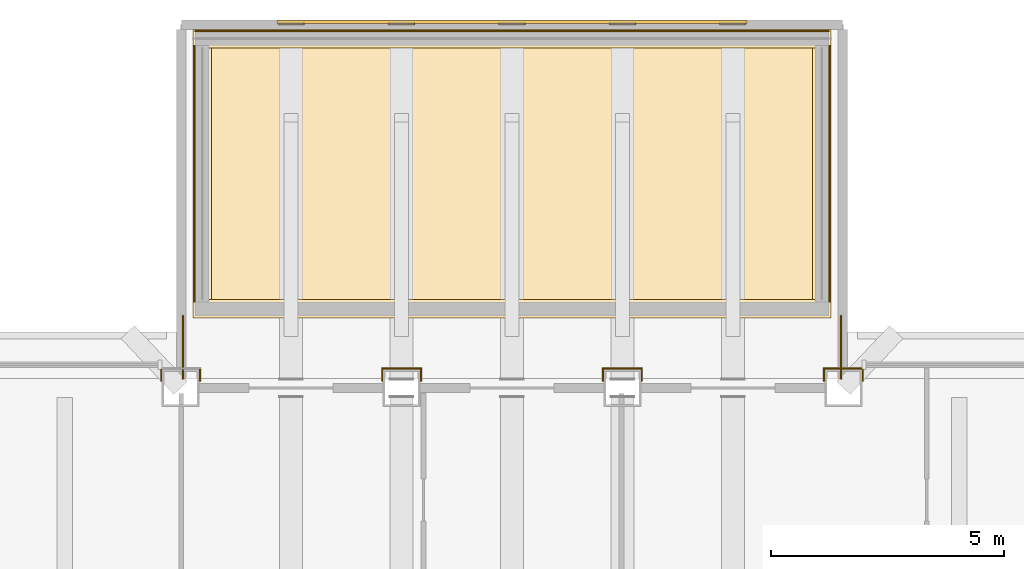
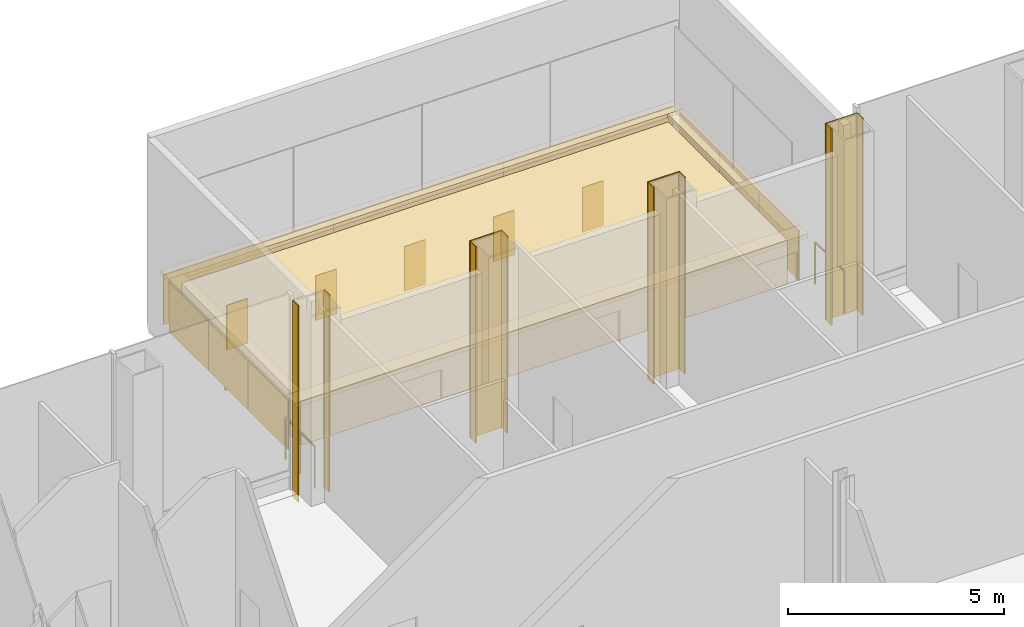
# One storey, part 20 of 22: 31 coverings, 2 railings.
"""IFC4 building model written with IfcOpenShell, lengths in metres."""

from ifc_helpers import new_model, si_unit, direction, frame, origin, origin_2d, place, context, subcontext, project, spatial, polyline, rectangle, circle, outline, extrude, material, layer, layer_set, type_object, element, save


model = new_model("IFC4")

# Units and contexts
model_context = context("Model", 3, precision=1e-05, world=origin(), true_north=direction((0.0, 1.0)))
body_context = subcontext(model_context, "Body", "Model", "MODEL_VIEW")
ifc_project = project(units=[si_unit("LENGTHUNIT", "METRE"), si_unit("AREAUNIT", "SQUARE_METRE"), si_unit("VOLUMEUNIT", "CUBIC_METRE"), si_unit("PLANEANGLEUNIT", "RADIAN"), si_unit("MASSUNIT", "GRAM", prefix="KILO")], contexts=[model_context])

# Site, building, storey
site_placement = place(None, origin())
site = spatial("IfcSite", under=ifc_project, at=site_placement, CompositionType="ELEMENT")
building_placement = place(site_placement, origin())
building = spatial("IfcBuilding", under=site, at=building_placement, Name="Cobrizo Arcos Hotel Tower", CompositionType="ELEMENT")
storey_placement = place(building_placement, frame((0.0, 0.0, 142.5)))
storey = spatial("IfcBuildingStorey", under=building, at=storey_placement, Name="L36", CompositionType="ELEMENT", Elevation=142.5)

# Coverings
ifc_material_1 = material(Name="Glass clear laminated low-e", Category="glass")
ifc_layer_1 = layer(ifc_material_1, 0.030029296875)
ifc_layer_set_1 = layer_set([ifc_layer_1], Name="PB-1 pool tub glass face 30")
covering_type_1 = type_object("IfcCoveringType", Name="PB-1 pool tub glass face 30", PredefinedType="CLADDING", material=ifc_layer_set_1)
for number, where, z_axis, x_axis, name in (
    (1, (-4.533203125, 29.264892578125, 0.0), (0.0, 0.0, 1.0), (1.0, 0.0, 0.0), "Pool tub glass face 1"),
    (2, (0.0, 29.264892578125, 0.0), (0.0, 0.0, 1.0), (1.0, 0.0, 0.0), "Pool tub glass face 2"),
    (3, (4.533203125, 29.264892578125, 0.0), (0.0, 0.0, 1.0), (1.0, 0.0, 0.0), "Pool tub glass face 3"),
):
    element("IfcCovering", number, at=place(storey_placement, frame(where, z_axis=z_axis, x_axis=x_axis)), inside=storey, type_object=covering_type_1, Name=name, PredefinedType="CLADDING", context=body_context, shape_type="SweptSolid", body=[
        extrude(rectangle(XDim=4.533203125, YDim=0.030029296875, at=origin_2d()), origin(), (0.0, 0.0, 1.0), 1.39990234375),
    ])
for number, where, z_axis, x_axis, name in (
    (4, (-6.81494140625, 24.3671875, 0.0), (0.0, 0.0, 1.0), (1.0, 0.0, 0.0), "Pool tub glass face 4"),
    (5, (-6.81494140625, 26.2001953125, 0.0), (0.0, 0.0, 1.0), (1.0, 0.0, 0.0), "Pool tub glass face 5"),
    (6, (-6.81494140625, 28.033447265625, 0.0), (0.0, 0.0, 1.0), (1.0, 0.0, 0.0), "Pool tub glass face 6"),
    (7, (6.81494140625, 24.3671875, 0.0), (0.0, 0.0, 1.0), (1.0, 0.0, 0.0), "Pool tub glass face 7"),
    (8, (6.81494140625, 26.2001953125, 0.0), (0.0, 0.0, 1.0), (1.0, 0.0, 0.0), "Pool tub glass face 8"),
    (9, (6.81494140625, 28.033447265625, 0.0), (0.0, 0.0, 1.0), (1.0, 0.0, 0.0), "Pool tub glass face 9"),
):
    element("IfcCovering", number, at=place(storey_placement, frame(where, z_axis=z_axis, x_axis=x_axis)), inside=storey, type_object=covering_type_1, Name=name, PredefinedType="CLADDING", context=body_context, shape_type="SweptSolid", body=[
        extrude(rectangle(XDim=0.030029296875, YDim=1.833251953125, at=origin_2d()), origin(), (0.0, 0.0, 1.0), 1.39990234375),
    ])
ifc_material_2 = material(Name="Pool water")
covering_type_2 = type_object("IfcCoveringType", Name="PB-2 pool water body", PredefinedType="USERDEFINED", material=ifc_material_2)
covering_1_placement = place(storey_placement, origin())
element("IfcCovering", 10, at=covering_1_placement, inside=storey, type_object=covering_type_2, Name="Pool water", ObjectType="WATER", PredefinedType="USERDEFINED", context=body_context, shape_type="SweptSolid", body=[
    extrude(outline(polyline([(-6.5, 23.450439453125), (6.5, 23.450439453125), (6.5, 28.949951171875), (-6.5, 28.949951171875), (-6.5, 23.450439453125)])), origin(), (0.0, 0.0, 1.0), 1.25),
])
ifc_material_3 = material(Name="Aluminium 6063-T6 anodised pale", Category="aluminium")
ifc_layer_2 = layer(ifc_material_3, 0.030029296875)
ifc_layer_set_2 = layer_set([ifc_layer_2], Name="PB-3 cantilever end plate 30")
covering_type_3 = type_object("IfcCoveringType", Name="PB-3 cantilever end plate 30", PredefinedType="CLADDING", material=ifc_layer_set_2)
for number, where, z_axis, x_axis, name in (
    (11, (-4.742919921875, 29.4150390625, -1.43017578125), (0.0, 0.0, 1.0), (1.0, 0.0, 0.0), "Cantilever beam end plate 1"),
    (12, (-2.371337890625, 29.4150390625, -1.43017578125), (0.0, 0.0, 1.0), (1.0, 0.0, 0.0), "Cantilever beam end plate 2"),
    (13, (0.0, 29.4150390625, -1.43017578125), (0.0, 0.0, 1.0), (1.0, 0.0, 0.0), "Cantilever beam end plate 3"),
    (14, (2.371337890625, 29.4150390625, -1.43017578125), (0.0, 0.0, 1.0), (1.0, 0.0, 0.0), "Cantilever beam end plate 4"),
    (15, (4.742919921875, 29.4150390625, -1.43017578125), (0.0, 0.0, 1.0), (1.0, 0.0, 0.0), "Cantilever beam end plate 5"),
):
    element("IfcCovering", number, at=place(storey_placement, frame(where, z_axis=z_axis, x_axis=x_axis)), inside=storey, type_object=covering_type_3, Name=name, PredefinedType="CLADDING", context=body_context, shape_type="SweptSolid", body=[
        extrude(rectangle(XDim=0.56005859375, YDim=0.030029296875, at=origin_2d()), origin(), (0.0, 0.0, 1.0), 1.260009765625),
    ])
ifc_layer_3 = layer(ifc_material_3, 0.06005859375)
ifc_layer_set_3 = layer_set([ifc_layer_3], Name="PB-4 pool deck fascia 60")
covering_type_4 = type_object("IfcCoveringType", Name="PB-4 pool deck fascia 60", PredefinedType="CLADDING", material=ifc_layer_set_3)
covering_2_placement = place(storey_placement, frame((0.0, 29.4599609375, -2.60009765625), z_axis=(0.0, 0.0, 1.0), x_axis=(1.0, 0.0, 0.0)))
element("IfcCovering", 16, at=covering_2_placement, inside=storey, type_object=covering_type_4, Name="Pool deck fascia", PredefinedType="CLADDING", context=body_context, shape_type="SweptSolid", body=[
    extrude(rectangle(XDim=10.085693359375, YDim=0.06005859375, at=origin_2d()), origin(), (0.0, 0.0, 1.0), 2.60009765625),
])
ifc_layer_4 = layer(ifc_material_3, 0.1201171875)
ifc_layer_set_4 = layer_set([ifc_layer_4], Name="PB-6 tub coping 120")
covering_type_5 = type_object("IfcCoveringType", Name="PB-6 tub coping 120", PredefinedType="CLADDING", material=ifc_layer_set_4)
for number, where, z_axis, x_axis, name in (
    (17, (0.0, 23.300537109375, 1.39990234375), (0.0, 0.0, 1.0), (1.0, 0.0, 0.0), "Pool tub coping S"),
    (18, (0.0, 29.10009765625, 1.39990234375), (0.0, 0.0, 1.0), (1.0, 0.0, 0.0), "Pool tub coping N"),
):
    element("IfcCovering", number, at=place(storey_placement, frame(where, z_axis=z_axis, x_axis=x_axis)), inside=storey, type_object=covering_type_5, Name=name, PredefinedType="CLADDING", context=body_context, shape_type="SweptSolid", body=[
        extrude(rectangle(XDim=13.699951171875, YDim=0.39990234375, at=origin_2d()), origin(), (0.0, 0.0, 1.0), 0.1201171875),
    ])
for number, where, z_axis, x_axis, name in (
    (19, (-6.64990234375, 26.2001953125, 1.39990234375), (0.0, 0.0, 1.0), (1.0, 0.0, 0.0), "Pool tub coping W"),
    (20, (6.64990234375, 26.2001953125, 1.39990234375), (0.0, 0.0, 1.0), (1.0, 0.0, 0.0), "Pool tub coping E"),
):
    element("IfcCovering", number, at=place(storey_placement, frame(where, z_axis=z_axis, x_axis=x_axis)), inside=storey, type_object=covering_type_5, Name=name, PredefinedType="CLADDING", context=body_context, shape_type="SweptSolid", body=[
        extrude(rectangle(XDim=0.39990234375, YDim=5.3994140625, at=origin_2d()), origin(), (0.0, 0.0, 1.0), 0.1201171875),
    ])
ifc_layer_5 = layer(ifc_material_3, 0.030029296875)
ifc_layer_set_5 = layer_set([ifc_layer_5], Name="PC-1 column casing pale metal 30")
covering_type_6 = type_object("IfcCoveringType", Name="PC-1 column casing pale metal 30", PredefinedType="CLADDING", material=ifc_layer_set_5)
for number, where, z_axis, x_axis, name in (
    (21, (-7.529052734375, 21.875, -0.2001953125), (0.0, 0.0, 1.0), (1.0, 0.0, 0.0), "Pool hall column casing 2"),
    (22, (-6.698974609375, 21.875, -0.2001953125), (0.0, 0.0, 1.0), (1.0, 0.0, 0.0), "Pool hall column casing 3"),
):
    element("IfcCovering", number, at=place(storey_placement, frame(where, z_axis=z_axis, x_axis=x_axis)), inside=storey, type_object=covering_type_6, Name=name, PredefinedType="CLADDING", context=body_context, shape_type="SweptSolid", body=[
        extrude(rectangle(XDim=0.030029296875, YDim=0.25, at=origin_2d()), origin(), (0.0, 0.0, 1.0), 5.550048828125),
    ])
covering_3_placement = place(storey_placement, frame((-2.37109375, 22.014892578125, -0.2001953125), z_axis=(0.0, 0.0, 1.0), x_axis=(1.0, 0.0, 0.0)))
element("IfcCovering", 23, at=covering_3_placement, inside=storey, type_object=covering_type_6, Name="Pool hall column casing 4", PredefinedType="CLADDING", context=body_context, shape_type="SweptSolid", body=[
    extrude(rectangle(XDim=0.860107421875, YDim=0.030029296875, at=origin_2d()), origin(), (0.0, 0.0, 1.0), 5.550048828125),
])
for number, where, z_axis, x_axis, name in (
    (24, (-2.785888671875, 21.875, -0.2001953125), (0.0, 0.0, 1.0), (1.0, 0.0, 0.0), "Pool hall column casing 5"),
    (25, (-1.9560546875, 21.875, -0.2001953125), (0.0, 0.0, 1.0), (1.0, 0.0, 0.0), "Pool hall column casing 6"),
):
    element("IfcCovering", number, at=place(storey_placement, frame(where, z_axis=z_axis, x_axis=x_axis)), inside=storey, type_object=covering_type_6, Name=name, PredefinedType="CLADDING", context=body_context, shape_type="SweptSolid", body=[
        extrude(rectangle(XDim=0.030029296875, YDim=0.25, at=origin_2d()), origin(), (0.0, 0.0, 1.0), 5.550048828125),
    ])
covering_4_placement = place(storey_placement, frame((2.37109375, 22.014892578125, -0.2001953125), z_axis=(0.0, 0.0, 1.0), x_axis=(1.0, 0.0, 0.0)))
element("IfcCovering", 26, at=covering_4_placement, inside=storey, type_object=covering_type_6, Name="Pool hall column casing 7", PredefinedType="CLADDING", context=body_context, shape_type="SweptSolid", body=[
    extrude(rectangle(XDim=0.860107421875, YDim=0.030029296875, at=origin_2d()), origin(), (0.0, 0.0, 1.0), 5.550048828125),
])
for number, where, z_axis, x_axis, name in (
    (27, (1.9560546875, 21.875, -0.2001953125), (0.0, 0.0, 1.0), (1.0, 0.0, 0.0), "Pool hall column casing 8"),
    (28, (2.785888671875, 21.875, -0.2001953125), (0.0, 0.0, 1.0), (1.0, 0.0, 0.0), "Pool hall column casing 9"),
):
    element("IfcCovering", number, at=place(storey_placement, frame(where, z_axis=z_axis, x_axis=x_axis)), inside=storey, type_object=covering_type_6, Name=name, PredefinedType="CLADDING", context=body_context, shape_type="SweptSolid", body=[
        extrude(rectangle(XDim=0.030029296875, YDim=0.25, at=origin_2d()), origin(), (0.0, 0.0, 1.0), 5.550048828125),
    ])
covering_5_placement = place(storey_placement, frame((7.114013671875, 22.014892578125, -0.2001953125), z_axis=(0.0, 0.0, 1.0), x_axis=(1.0, 0.0, 0.0)))
element("IfcCovering", 29, at=covering_5_placement, inside=storey, type_object=covering_type_6, Name="Pool hall column casing 10", PredefinedType="CLADDING", context=body_context, shape_type="SweptSolid", body=[
    extrude(rectangle(XDim=0.860107421875, YDim=0.030029296875, at=origin_2d()), origin(), (0.0, 0.0, 1.0), 5.550048828125),
])
for number, where, z_axis, x_axis, name in (
    (30, (6.698974609375, 21.875, -0.2001953125), (0.0, 0.0, 1.0), (1.0, 0.0, 0.0), "Pool hall column casing 11"),
    (31, (7.529052734375, 21.875, -0.2001953125), (0.0, 0.0, 1.0), (1.0, 0.0, 0.0), "Pool hall column casing 12"),
):
    element("IfcCovering", number, at=place(storey_placement, frame(where, z_axis=z_axis, x_axis=x_axis)), inside=storey, type_object=covering_type_6, Name=name, PredefinedType="CLADDING", context=body_context, shape_type="SweptSolid", body=[
        extrude(rectangle(XDim=0.030029296875, YDim=0.25, at=origin_2d()), origin(), (0.0, 0.0, 1.0), 5.550048828125),
    ])

# Railings
ifc_material_4 = material(Name="Glass laminated with stainless steel posts", Category="steel")
railing_type = type_object("IfcRailingType", Name="PG-1 pool terrace glass guard 1200", PredefinedType="GUARDRAIL", material=ifc_material_4)
for number, where, name in (
    (32, (-7.06396484375, 21.800537109375, 0.0), "Pool terrace glass guard W"),
    (33, (7.06396484375, 21.800537109375, 0.0), "Pool terrace glass guard E"),
):
    element("IfcRailing", number, at=place(storey_placement, frame(where)), inside=storey, type_object=railing_type, Name=name, PredefinedType="GUARDRAIL", context=body_context, shape_type="SweptSolid", body=[
        extrude(circle(Radius=0.02392578125, at=origin_2d()), frame((0.0, 0.0, 1.17578125), z_axis=(0.0, 1.0, 0.0), x_axis=(-1.0, 0.0, 0.0)), (0.0, 0.0, 1.0), 1.349853515625),
        extrude(circle(Radius=0.02099609375, at=origin_2d()), origin(), (0.0, 0.0, 1.0), 1.15185546875),
        extrude(circle(Radius=0.02099609375, at=origin_2d()), frame((0.0, 0.6748046875, 0.0)), (0.0, 0.0, 1.0), 1.15185546875),
        extrude(circle(Radius=0.02099609375, at=origin_2d()), frame((0.0, 1.349853515625, 0.0)), (0.0, 0.0, 1.0), 1.15185546875),
    ])

save(model, "model.ifc")
